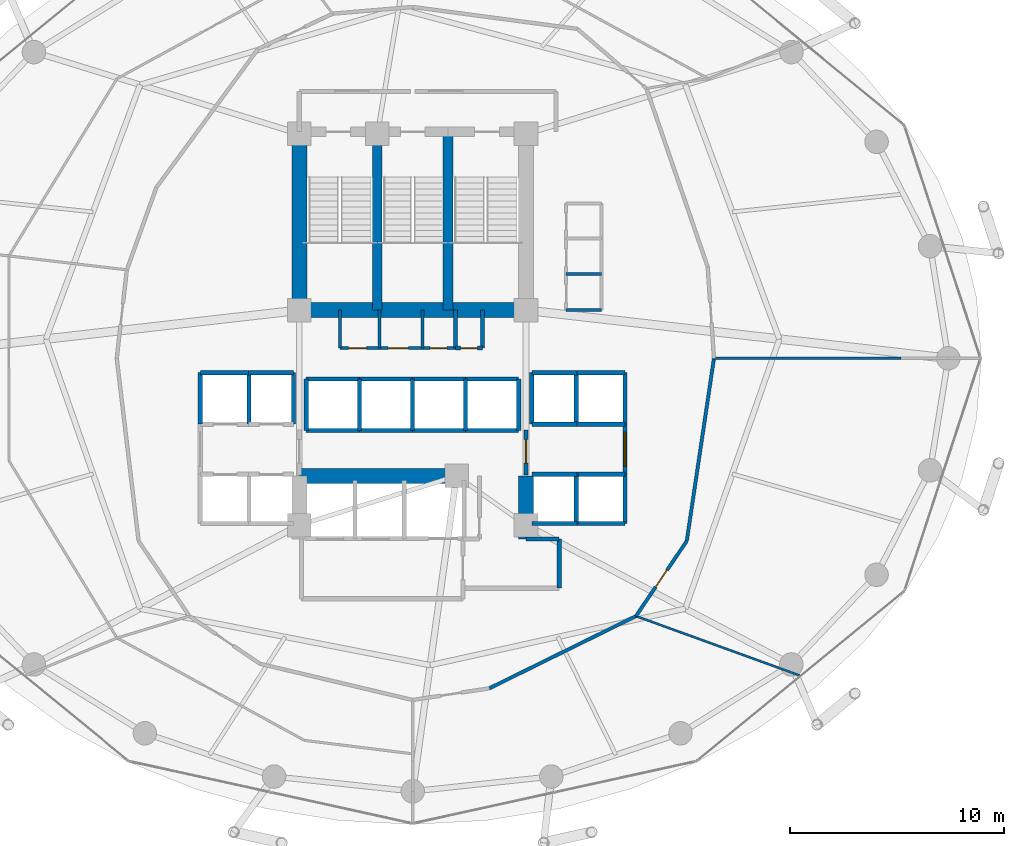
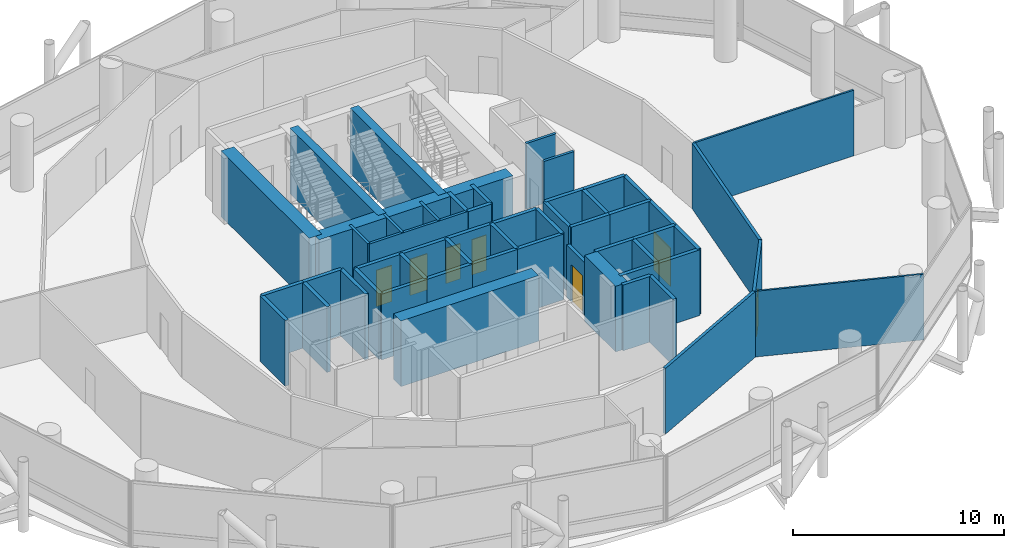
# One storey, part 22 of 25: 55 walls, 7 doors, 7 openings.
"""IFC4 building model written with IfcOpenShell, lengths in metres."""

from ifc_helpers import new_model, si_unit, direction, frame, frame_2d, origin, place, context, subcontext, project, spatial, rectangle, extrude, material, layer, layer_set, type_object, element, fill, save


model = new_model("IFC4")

# Units and contexts
model_context = context("Model", 3, precision=1e-05, world=origin(), true_north=direction((0.0, 1.0)))
body_context = subcontext(model_context, "Body", "Model", "MODEL_VIEW")
ifc_project = project(units=[si_unit("LENGTHUNIT", "METRE"), si_unit("AREAUNIT", "SQUARE_METRE"), si_unit("VOLUMEUNIT", "CUBIC_METRE"), si_unit("PLANEANGLEUNIT", "RADIAN"), si_unit("MASSUNIT", "GRAM", prefix="KILO")], contexts=[model_context])

# Site, building, storey
site_placement = place(None, origin())
site = spatial("IfcSite", under=ifc_project, at=site_placement, CompositionType="ELEMENT")
building_placement = place(site_placement, origin())
building = spatial("IfcBuilding", under=site, at=building_placement, Name="Nuhasar Tower", CompositionType="ELEMENT")
storey_placement = place(building_placement, frame((0.0, 0.0, 65.550048828125)))
storey = spatial("IfcBuildingStorey", under=building, at=storey_placement, Name="L15", CompositionType="ELEMENT", Elevation=65.550048828125)

# Walls
ifc_material_1 = material(Name="Concrete C50/60", Category="concrete")
ifc_layer_1 = layer(ifc_material_1, 0.449951171875)
ifc_layer_set_1 = layer_set([ifc_layer_1], Name="Concrete C50/60")
wall_type_1 = type_object("IfcWallType", Name="WL-CORE-450", PredefinedType="SHEAR", material=ifc_layer_set_1)
for number, where, z_axis, x_axis, name in (
    (1, (37.35009765625, 29.050048828125, 0.0), (0.0, 0.0, 1.0), (0.0, 1.0, 0.0), "L15 Stairwell Shear Wall ST01-E"),
    (2, (40.64990234375, 29.050048828125, 0.0), (0.0, 0.0, 1.0), (0.0, 1.0, 0.0), "L15 Stairwell Shear Wall ST03-E"),
):
    element("IfcWall", number, at=place(storey_placement, frame(where, z_axis=z_axis, x_axis=x_axis)), inside=storey, type_object=wall_type_1, Name=name, PredefinedType="SHEAR", context=body_context, shape_type="SweptSolid", body=[
        extrude(rectangle(XDim=8.349853515625, YDim=0.449951171875, at=frame_2d((4.1748046875, 0.0))), origin(), (0.0, 0.0, 1.0), 3.800048828125),
    ])
ifc_material_2 = material(Name="Concrete C65/80", Category="concrete")
ifc_layer_2 = layer(ifc_material_2, 0.699951171875)
ifc_layer_set_2 = layer_set([ifc_layer_2], Name="Concrete C65/80")
wall_type_2 = type_object("IfcWallType", Name="WL-CORE-700", PredefinedType="SHEAR", material=ifc_layer_set_2)
wall_1_placement = place(storey_placement, frame((33.699951171875, 29.050048828125, 0.0), z_axis=(0.0, 0.0, 1.0), x_axis=(0.0, 1.0, 0.0)))
element("IfcWall", 3, at=wall_1_placement, inside=storey, type_object=wall_type_2, Name="L15 Core Shear Wall CW-NW CW-700", PredefinedType="SHEAR", context=body_context, shape_type="SweptSolid", body=[
    extrude(rectangle(XDim=8.349853515625, YDim=0.699951171875, at=frame_2d((4.1748046875, 0.0))), origin(), (0.0, 0.0, 1.0), 3.800048828125),
])
wall_2_placement = place(storey_placement, frame((44.300048828125, 18.35009765625, 0.0), z_axis=(0.0, 0.0, 1.0), x_axis=(0.0, 1.0, 0.0)))
element("IfcWall", 4, at=wall_2_placement, inside=storey, type_object=wall_type_2, Name="L15 Core Shear Wall CW-SE CW-700", PredefinedType="SHEAR", context=body_context, shape_type="SweptSolid", body=[
    extrude(rectangle(XDim=2.949951171875, YDim=0.699951171875, at=frame_2d((1.47509765625, 0.0))), origin(), (0.0, 0.0, 1.0), 3.800048828125),
])
wall_3_placement = place(storey_placement, frame((33.699951171875, 29.050048828125, 0.0), z_axis=(0.0, 0.0, 1.0), x_axis=(1.0, 0.0, 0.0)))
element("IfcWall", 5, at=wall_3_placement, inside=storey, type_object=wall_type_2, Name="L15 Core Shear Wall CW-N1 CW-700", PredefinedType="SHEAR", context=body_context, shape_type="SweptSolid", body=[
    extrude(rectangle(XDim=10.60009765625, YDim=0.699951171875, at=frame_2d((5.300048828125, 0.0))), origin(), (0.0, 0.0, 1.0), 3.800048828125),
])
wall_4_placement = place(storey_placement, frame((33.699951171875, 21.300048828125, 0.0), z_axis=(0.0, 0.0, 1.0), x_axis=(1.0, 0.0, 0.0)))
element("IfcWall", 6, at=wall_4_placement, inside=storey, type_object=wall_type_2, Name="L15 Core Shear Wall CW-S1 CW-700", PredefinedType="SHEAR", context=body_context, shape_type="SweptSolid", body=[
    extrude(rectangle(XDim=7.550048828125, YDim=0.699951171875, at=frame_2d((3.77490234375, 0.0))), origin(), (0.0, 0.0, 1.0), 3.800048828125),
])
ifc_material_3 = material(Name="Gypsum Board", Category="gypsum")
ifc_layer_3 = layer(ifc_material_3, 0.159912109375)
ifc_layer_set_3 = layer_set([ifc_layer_3], Name="Gypsum Board")
wall_type_3 = type_object("IfcWallType", Name="WL-CORR-160", PredefinedType="PARTITIONING", material=ifc_layer_set_3)
wall_5_placement = place(storey_placement, frame((42.58203125, 11.364990234375, 0.0), z_axis=(0.0, 0.0, 1.0), x_axis=(0.897055406153, 0.441918090025, 0.0)))
element("IfcWall", 7, at=wall_5_placement, inside=storey, type_object=wall_type_3, Name="L15 Interior Partition CORR-38", PredefinedType="PARTITIONING", context=body_context, shape_type="SweptSolid", body=[
    extrude(rectangle(XDim=7.64599609375, YDim=0.159912109375, at=frame_2d((3.822998046875, 0.0))), origin(), (0.0, 0.0, 1.0), 3.800048828125),
])

# Wall, opening, door
wall_6_placement = place(storey_placement, frame((51.818115234375, 18.2548828125, 0.0), z_axis=(0.0, 0.0, 1.0), x_axis=(-0.560652063277, -0.828051486288, 0.0)))
wall_6 = element("IfcWall", 8, at=wall_6_placement, inside=storey, type_object=wall_type_3, Name="L15 Interior Partition CORR-42", PredefinedType="PARTITIONING", context=body_context, shape_type="SweptSolid", body=[
    extrude(rectangle(XDim=4.239990234375, YDim=0.159912109375, at=frame_2d((2.1201171875, 0.0))), origin(), (0.0, 0.0, 1.0), 3.800048828125),
])
opening_1_placement = place(wall_6_placement, frame((1.64501953125, 0.0, 0.0)))
opening_1 = element("IfcOpeningElement", 9, at=opening_1_placement, cuts=wall_6, Name="Opening DO-01", PredefinedType="OPENING", context=body_context, shape_type="SweptSolid", body=[
    extrude(rectangle(XDim=0.949951171875, YDim=2.14990234375, at=frame_2d((0.47509765625, 1.074951171875))), frame((0.0, 0.08984375, 0.0), z_axis=(0.0, -1.0, 0.0), x_axis=(1.0, 0.0, 0.0)), (0.0, 0.0, 1.0), 0.179931640625),
])
ifc_material_4 = material(Name="Timber Oak", Category="wood")
door_type_1 = type_object("IfcDoorType", Name="DR-OFFICE-FD30-950", OperationType="NOTDEFINED", PredefinedType="DOOR", material=ifc_material_4)
door_1_placement = place(opening_1_placement, origin())
door_1 = element("IfcDoor", 10, at=door_1_placement, inside=storey, type_object=door_type_1, Name="L15 Analytics Co-Working Hall Entry Door", OperationType="SINGLE_SWING_RIGHT", OverallHeight=2.14990234375, OverallWidth=0.949951171875, PredefinedType="DOOR", context=body_context, shape_type="SweptSolid", body=[
    extrude(rectangle(XDim=0.949951171875, YDim=2.14990234375, at=frame_2d((0.47509765625, 1.074951171875))), frame((0.0, 0.02490234375, 0.0), z_axis=(0.0, -1.0, 0.0), x_axis=(1.0, 0.0, 0.0)), (0.0, 0.0, 1.0), 0.050048828125),
])
fill(opening_1, door_1)

# Wall
wall_7_placement = place(storey_placement, frame((51.818115234375, 18.2548828125, 0.0), z_axis=(0.0, 0.0, 1.0), x_axis=(0.147230717418, 0.989102176647, 0.0)))
element("IfcWall", 11, at=wall_7_placement, inside=storey, type_object=wall_type_3, Name="L15 Interior Partition CORR-44", PredefinedType="PARTITIONING", context=body_context, shape_type="SweptSolid", body=[
    extrude(rectangle(XDim=8.639404296875, YDim=0.159912109375, at=frame_2d((4.31982421875, 0.0))), origin(), (0.0, 0.0, 1.0), 3.800048828125),
])

# Wall, opening, door
ifc_material_5 = material(Name="Concrete C45/55", Category="concrete")
ifc_layer_4 = layer(ifc_material_5, 0.199951171875)
ifc_layer_set_4 = layer_set([ifc_layer_4], Name="Concrete C45/55")
wall_type_4 = type_object("IfcWallType", Name="WL-LOBBY-200", PredefinedType="SOLIDWALL", material=ifc_layer_set_4)
wall_8_placement = place(storey_placement, frame((48.929931640625, 21.3798828125, 0.0), z_axis=(0.0, 0.0, 1.0), x_axis=(0.0, 1.0, 0.0)))
wall_8 = element("IfcWall", 12, at=wall_8_placement, inside=storey, type_object=wall_type_4, Name="L15 Interior Partition LLBM-E", PredefinedType="SOLIDWALL", context=body_context, shape_type="SweptSolid", body=[
    extrude(rectangle(XDim=2.340087890625, YDim=0.199951171875, at=frame_2d((1.169921875, 0.0))), origin(), (0.0, 0.0, 1.0), 3.800048828125),
])
opening_2_placement = place(wall_8_placement, frame((0.3701171875, 0.0, 0.0)))
opening_2 = element("IfcOpeningElement", 13, at=opening_2_placement, cuts=wall_8, Name="Opening DC-01", PredefinedType="OPENING", context=body_context, shape_type="SweptSolid", body=[
    extrude(rectangle(XDim=1.60009765625, YDim=2.199951171875, at=frame_2d((0.800048828125, 1.10009765625))), frame((0.0, 0.10986328125, 0.0), z_axis=(0.0, -1.0, 0.0), x_axis=(1.0, 0.0, 0.0)), (0.0, 0.0, 1.0), 0.219970703125),
])
ifc_material_6 = material(Name="Steel S355", Category="steel")
door_type_2 = type_object("IfcDoorType", Name="DR-CORR-FD60-1600", OperationType="DOUBLE_DOOR_SINGLE_SWING", PredefinedType="DOOR", material=ifc_material_6)
door_2_placement = place(opening_2_placement, origin())
door_2 = element("IfcDoor", 14, at=door_2_placement, inside=storey, type_object=door_type_2, Name="L15 Mid-Rise Lift Lobby East Entry", OperationType="DOUBLE_DOOR_SINGLE_SWING", OverallHeight=2.199951171875, OverallWidth=1.60009765625, PredefinedType="DOOR", context=body_context, shape_type="SweptSolid", body=[
    extrude(rectangle(XDim=1.60009765625, YDim=2.199951171875, at=frame_2d((0.800048828125, 1.10009765625))), frame((0.0, 0.02490234375, 0.0), z_axis=(0.0, -1.0, 0.0), x_axis=(1.0, 0.0, 0.0)), (0.0, 0.0, 1.0), 0.050048828125),
])
fill(opening_2, door_2)

wall_9_placement = place(storey_placement, frame((44.300048828125, 21.35009765625, 0.0), z_axis=(0.0, 0.0, 1.0), x_axis=(0.0, 1.0, 0.0)))
wall_9 = element("IfcWall", 15, at=wall_9_placement, inside=storey, type_object=wall_type_4, Name="L15 Interior Partition LLBH-E", PredefinedType="SOLIDWALL", context=body_context, shape_type="SweptSolid", body=[
    extrude(rectangle(XDim=2.099853515625, YDim=0.199951171875, at=frame_2d((1.0498046875, 0.0))), origin(), (0.0, 0.0, 1.0), 3.02001953125),
])
opening_3_placement = place(wall_9_placement, frame((0.550048828125, 0.0, 0.0)))
opening_3 = element("IfcOpeningElement", 16, at=opening_3_placement, cuts=wall_9, Name="Opening DS-02", PredefinedType="OPENING", context=body_context, shape_type="SweptSolid", body=[
    extrude(rectangle(XDim=1.10009765625, YDim=2.14990234375, at=frame_2d((0.550048828125, 1.074951171875))), frame((0.0, 0.10986328125, 0.0), z_axis=(0.0, -1.0, 0.0), x_axis=(1.0, 0.0, 0.0)), (0.0, 0.0, 1.0), 0.219970703125),
])
door_type_3 = type_object("IfcDoorType", Name="DR-FFL-FD120-1100", OperationType="NOTDEFINED", PredefinedType="DOOR", material=ifc_material_6)
door_3_placement = place(opening_3_placement, origin())
door_3 = element("IfcDoor", 17, at=door_3_placement, inside=storey, type_object=door_type_3, Name="L15 High-Rise Lobby East Door", OperationType="SINGLE_SWING_RIGHT", OverallHeight=2.14990234375, OverallWidth=1.10009765625, PredefinedType="DOOR", context=body_context, shape_type="SweptSolid", body=[
    extrude(rectangle(XDim=1.10009765625, YDim=2.14990234375, at=frame_2d((0.550048828125, 1.074951171875))), frame((0.0, 0.02490234375, 0.0), z_axis=(0.0, -1.0, 0.0), x_axis=(1.0, 0.0, 0.0)), (0.0, 0.0, 1.0), 0.050048828125),
])
fill(opening_3, door_3)

# Walls
wall_10_placement = place(storey_placement, frame((45.85009765625, 16.050048828125, 0.0), z_axis=(0.0, 0.0, 1.0), x_axis=(0.0, 1.0, 0.0)))
element("IfcWall", 18, at=wall_10_placement, inside=storey, type_object=wall_type_4, Name="L15 Interior Partition SVLV-E", PredefinedType="SOLIDWALL", context=body_context, shape_type="SweptSolid", body=[
    extrude(rectangle(XDim=2.300048828125, YDim=0.199951171875, at=frame_2d((1.14990234375, 0.0))), origin(), (0.0, 0.0, 1.0), 3.800048828125),
])
wall_11_placement = place(storey_placement, frame((44.300048828125, 18.35009765625, 0.0), z_axis=(0.0, 0.0, 1.0), x_axis=(1.0, 0.0, 0.0)))
element("IfcWall", 19, at=wall_11_placement, inside=storey, type_object=wall_type_4, Name="L15 Interior Partition SVLV-N", PredefinedType="SOLIDWALL", context=body_context, shape_type="SweptSolid", body=[
    extrude(rectangle(XDim=1.550048828125, YDim=0.199951171875, at=frame_2d((0.77490234375, 0.0))), origin(), (0.0, 0.0, 1.0), 3.800048828125),
])
ifc_material_7 = material(Name="Aluminium 6063-T6", Category="aluminium")
ifc_layer_5 = layer(ifc_material_7, 0.10009765625)
ifc_layer_set_5 = layer_set([ifc_layer_5], Name="Aluminium 6063-T6")
wall_type_5 = type_object("IfcWallType", Name="WL-MOVABLE-100", PredefinedType="MOVABLE", material=ifc_layer_set_5)
wall_12_placement = place(storey_placement, frame((53.090087890625, 26.800048828125, 0.0), z_axis=(0.0, 0.0, 1.0), x_axis=(1.0, 0.0, 0.0)))
element("IfcWall", 20, at=wall_12_placement, inside=storey, type_object=wall_type_5, Name="L15 Interior Partition ORAD-00", PredefinedType="MOVABLE", context=body_context, shape_type="SweptSolid", body=[
    extrude(rectangle(XDim=8.75, YDim=0.10009765625, at=frame_2d((4.375, 0.0))), origin(), (0.0, 0.0, 1.0), 3.800048828125),
])
wall_13_placement = place(storey_placement, frame((49.44091796875, 14.743896484375, 0.0), z_axis=(0.0, 0.0, 1.0), x_axis=(0.940120376518, -0.340842599533, 0.0)))
element("IfcWall", 21, at=wall_13_placement, inside=storey, type_object=wall_type_5, Name="L15 Interior Partition ORAD-42", PredefinedType="MOVABLE", context=body_context, shape_type="SweptSolid", body=[
    extrude(rectangle(XDim=8.1650390625, YDim=0.10009765625, at=frame_2d((4.08251953125, 0.0))), origin(), (0.0, 0.0, 1.0), 3.800048828125),
])
ifc_layer_6 = layer(ifc_material_5, 0.199951171875)
ifc_layer_set_6 = layer_set([ifc_layer_6], Name="Concrete C45/55")
wall_type_6 = type_object("IfcWallType", Name="WL-SHAFT-200", PredefinedType="SOLIDWALL", material=ifc_layer_set_6)
for number, where, z_axis, x_axis, name in (
    (22, (41.0, 27.280029296875, 0.0), (0.0, 0.0, 1.0), (0.0, 1.0, 0.0), "L15 Interior Partition RSRN-W"),
    (23, (42.260009765625, 27.280029296875, 0.0), (0.0, 0.0, 1.0), (0.0, 1.0, 0.0), "L15 Interior Partition RSRN-E"),
):
    element("IfcWall", number, at=place(storey_placement, frame(where, z_axis=z_axis, x_axis=x_axis)), inside=storey, type_object=wall_type_6, Name=name, PredefinedType="SOLIDWALL", context=body_context, shape_type="SweptSolid", body=[
        extrude(rectangle(XDim=1.77001953125, YDim=0.199951171875, at=frame_2d((0.885009765625, 0.0))), origin(), (0.0, 0.0, 1.0), 3.800048828125),
    ])

# Wall, opening, door
wall_14_placement = place(storey_placement, frame((41.0, 27.280029296875, 0.0), z_axis=(0.0, 0.0, 1.0), x_axis=(1.0, 0.0, 0.0)))
wall_14 = element("IfcWall", 24, at=wall_14_placement, inside=storey, type_object=wall_type_6, Name="L15 Interior Partition RSRN-S", PredefinedType="SOLIDWALL", context=body_context, shape_type="SweptSolid", body=[
    extrude(rectangle(XDim=1.260009765625, YDim=0.199951171875, at=frame_2d((0.6298828125, 0.0))), origin(), (0.0, 0.0, 1.0), 3.800048828125),
])
opening_4_placement = place(wall_14_placement, frame((0.22998046875, 0.0, 0.0)))
opening_4 = element("IfcOpeningElement", 25, at=opening_4_placement, cuts=wall_14, Name="Opening DM-01", PredefinedType="OPENING", context=body_context, shape_type="SweptSolid", body=[
    extrude(rectangle(XDim=0.800048828125, YDim=2.050048828125, at=frame_2d((0.39990234375, 1.02490234375))), frame((0.0, 0.10986328125, 0.0), z_axis=(0.0, -1.0, 0.0), x_axis=(1.0, 0.0, 0.0)), (0.0, 0.0, 1.0), 0.219970703125),
])
door_type_4 = type_object("IfcDoorType", Name="DR-RISER-FD60-800", OperationType="NOTDEFINED", PredefinedType="DOOR", material=ifc_material_6)
door_4_placement = place(opening_4_placement, origin())
door_4 = element("IfcDoor", 26, at=door_4_placement, inside=storey, type_object=door_type_4, Name="L15 North Smoke Riser Door", OperationType="SINGLE_SWING_RIGHT", OverallHeight=2.050048828125, OverallWidth=0.800048828125, PredefinedType="DOOR", context=body_context, shape_type="SweptSolid", body=[
    extrude(rectangle(XDim=0.800048828125, YDim=2.050048828125, at=frame_2d((0.39990234375, 1.02490234375))), frame((0.0, 0.02490234375, 0.0), z_axis=(0.0, -1.0, 0.0), x_axis=(1.0, 0.0, 0.0)), (0.0, 0.0, 1.0), 0.050048828125),
])
fill(opening_4, door_4)

# Walls
wall_15_placement = place(storey_placement, frame((29.070068359375, 26.1298828125, 0.0), z_axis=(0.0, 0.0, 1.0), x_axis=(1.0, 0.0, 0.0)))
element("IfcWall", 27, at=wall_15_placement, inside=storey, type_object=wall_type_6, Name="L15 Interior Partition SHF-PL-L01-N", PredefinedType="SOLIDWALL", context=body_context, shape_type="SweptSolid", body=[
    extrude(rectangle(XDim=2.309814453125, YDim=0.199951171875, at=frame_2d((1.15478515625, 0.0))), origin(), (0.0, 0.0, 1.0), 3.800048828125),
])
for number, where, z_axis, x_axis, name in (
    (28, (29.070068359375, 23.719970703125, 0.0), (0.0, 0.0, 1.0), (0.0, 1.0, 0.0), "L15 Interior Partition SHF-PL-L01-W"),
    (29, (31.35009765625, 23.719970703125, 0.0), (0.0, 0.0, 1.0), (0.0, 1.0, 0.0), "L15 Interior Partition SHF-PL-L01-E"),
):
    element("IfcWall", number, at=place(storey_placement, frame(where, z_axis=z_axis, x_axis=x_axis)), inside=storey, type_object=wall_type_6, Name=name, PredefinedType="SOLIDWALL", context=body_context, shape_type="SweptSolid", body=[
        extrude(rectangle(XDim=2.409912109375, YDim=0.199951171875, at=frame_2d((1.205078125, 0.0))), origin(), (0.0, 0.0, 1.0), 3.800048828125),
    ])
wall_16_placement = place(storey_placement, frame((31.320068359375, 26.1298828125, 0.0), z_axis=(0.0, 0.0, 1.0), x_axis=(1.0, 0.0, 0.0)))
element("IfcWall", 30, at=wall_16_placement, inside=storey, type_object=wall_type_6, Name="L15 Interior Partition SHF-PL-L02-N", PredefinedType="SOLIDWALL", context=body_context, shape_type="SweptSolid", body=[
    extrude(rectangle(XDim=2.10986328125, YDim=0.199951171875, at=frame_2d((1.054931640625, 0.0))), origin(), (0.0, 0.0, 1.0), 3.800048828125),
])
wall_17_placement = place(storey_placement, frame((33.429931640625, 23.719970703125, 0.0), z_axis=(0.0, 0.0, 1.0), x_axis=(0.0, 1.0, 0.0)))
element("IfcWall", 31, at=wall_17_placement, inside=storey, type_object=wall_type_6, Name="L15 Interior Partition SHF-PL-L02-E", PredefinedType="SOLIDWALL", context=body_context, shape_type="SweptSolid", body=[
    extrude(rectangle(XDim=2.409912109375, YDim=0.199951171875, at=frame_2d((1.205078125, 0.0))), origin(), (0.0, 0.0, 1.0), 3.800048828125),
])
for number, where, z_axis, x_axis, name in (
    (32, (44.570068359375, 23.719970703125, 0.0), (0.0, 0.0, 1.0), (1.0, 0.0, 0.0), "L15 Interior Partition SHF-PL-M01-S"),
    (33, (44.570068359375, 26.1298828125, 0.0), (0.0, 0.0, 1.0), (1.0, 0.0, 0.0), "L15 Interior Partition SHF-PL-M01-N"),
):
    element("IfcWall", number, at=place(storey_placement, frame(where, z_axis=z_axis, x_axis=x_axis)), inside=storey, type_object=wall_type_6, Name=name, PredefinedType="SOLIDWALL", context=body_context, shape_type="SweptSolid", body=[
        extrude(rectangle(XDim=2.10986328125, YDim=0.199951171875, at=frame_2d((1.054931640625, 0.0))), origin(), (0.0, 0.0, 1.0), 3.800048828125),
    ])
for number, where, z_axis, x_axis, name in (
    (34, (44.570068359375, 23.719970703125, 0.0), (0.0, 0.0, 1.0), (0.0, 1.0, 0.0), "L15 Interior Partition SHF-PL-M01-W"),
    (35, (46.64990234375, 23.719970703125, 0.0), (0.0, 0.0, 1.0), (0.0, 1.0, 0.0), "L15 Interior Partition SHF-PL-M01-E"),
):
    element("IfcWall", number, at=place(storey_placement, frame(where, z_axis=z_axis, x_axis=x_axis)), inside=storey, type_object=wall_type_6, Name=name, PredefinedType="SOLIDWALL", context=body_context, shape_type="SweptSolid", body=[
        extrude(rectangle(XDim=2.409912109375, YDim=0.199951171875, at=frame_2d((1.205078125, 0.0))), origin(), (0.0, 0.0, 1.0), 3.800048828125),
    ])
for number, where, z_axis, x_axis, name in (
    (36, (46.6201171875, 23.719970703125, 0.0), (0.0, 0.0, 1.0), (1.0, 0.0, 0.0), "L15 Interior Partition SHF-PL-M02-S"),
    (37, (46.6201171875, 26.1298828125, 0.0), (0.0, 0.0, 1.0), (1.0, 0.0, 0.0), "L15 Interior Partition SHF-PL-M02-N"),
):
    element("IfcWall", number, at=place(storey_placement, frame(where, z_axis=z_axis, x_axis=x_axis)), inside=storey, type_object=wall_type_6, Name=name, PredefinedType="SOLIDWALL", context=body_context, shape_type="SweptSolid", body=[
        extrude(rectangle(XDim=2.309814453125, YDim=0.199951171875, at=frame_2d((1.15478515625, 0.0))), origin(), (0.0, 0.0, 1.0), 3.800048828125),
    ])
wall_18_placement = place(storey_placement, frame((48.929931640625, 23.719970703125, 0.0), z_axis=(0.0, 0.0, 1.0), x_axis=(0.0, 1.0, 0.0)))
element("IfcWall", 38, at=wall_18_placement, inside=storey, type_object=wall_type_6, Name="L15 Interior Partition SHF-PL-M02-E", PredefinedType="SOLIDWALL", context=body_context, shape_type="SweptSolid", body=[
    extrude(rectangle(XDim=2.409912109375, YDim=0.199951171875, at=frame_2d((1.205078125, 0.0))), origin(), (0.0, 0.0, 1.0), 3.800048828125),
])
for number, where, z_axis, x_axis, name in (
    (39, (44.570068359375, 19.070068359375, 0.0), (0.0, 0.0, 1.0), (1.0, 0.0, 0.0), "L15 Interior Partition SHF-PL-M03-S"),
    (40, (44.570068359375, 21.3798828125, 0.0), (0.0, 0.0, 1.0), (1.0, 0.0, 0.0), "L15 Interior Partition SHF-PL-M03-N"),
):
    element("IfcWall", number, at=place(storey_placement, frame(where, z_axis=z_axis, x_axis=x_axis)), inside=storey, type_object=wall_type_6, Name=name, PredefinedType="SOLIDWALL", context=body_context, shape_type="SweptSolid", body=[
        extrude(rectangle(XDim=2.10986328125, YDim=0.199951171875, at=frame_2d((1.054931640625, 0.0))), origin(), (0.0, 0.0, 1.0), 3.800048828125),
    ])
for number, where, z_axis, x_axis, name in (
    (41, (46.64990234375, 19.070068359375, 0.0), (0.0, 0.0, 1.0), (0.0, 1.0, 0.0), "L15 Interior Partition SHF-PL-M03-E"),
    (42, (46.6201171875, 19.070068359375, 0.0), (0.0, 0.0, 1.0), (1.0, 0.0, 0.0), "L15 Interior Partition SHF-PL-M04-S"),
    (43, (46.6201171875, 21.3798828125, 0.0), (0.0, 0.0, 1.0), (1.0, 0.0, 0.0), "L15 Interior Partition SHF-PL-M04-N"),
    (44, (48.929931640625, 19.070068359375, 0.0), (0.0, 0.0, 1.0), (0.0, 1.0, 0.0), "L15 Interior Partition SHF-PL-M04-E"),
):
    element("IfcWall", number, at=place(storey_placement, frame(where, z_axis=z_axis, x_axis=x_axis)), inside=storey, type_object=wall_type_6, Name=name, PredefinedType="SOLIDWALL", context=body_context, shape_type="SweptSolid", body=[
        extrude(rectangle(XDim=2.309814453125, YDim=0.199951171875, at=frame_2d((1.15478515625, 0.0))), origin(), (0.0, 0.0, 1.0), 3.800048828125),
    ])
for number, where, z_axis, x_axis, name in (
    (45, (34.02001953125, 23.419921875, 0.0), (0.0, 0.0, 1.0), (1.0, 0.0, 0.0), "L15 Interior Partition SHF-PL-H01-S"),
    (46, (34.02001953125, 25.830078125, 0.0), (0.0, 0.0, 1.0), (1.0, 0.0, 0.0), "L15 Interior Partition SHF-PL-H01-N"),
):
    element("IfcWall", number, at=place(storey_placement, frame(where, z_axis=z_axis, x_axis=x_axis)), inside=storey, type_object=wall_type_6, Name=name, PredefinedType="SOLIDWALL", context=body_context, shape_type="SweptSolid", body=[
        extrude(rectangle(XDim=2.5, YDim=0.199951171875, at=frame_2d((1.25, 0.0))), origin(), (0.0, 0.0, 1.0), 3.800048828125),
    ])
for number, where, z_axis, x_axis, name in (
    (47, (34.02001953125, 23.419921875, 0.0), (0.0, 0.0, 1.0), (0.0, 1.0, 0.0), "L15 Interior Partition SHF-PL-H01-W"),
    (48, (36.510009765625, 23.419921875, 0.0), (0.0, 0.0, 1.0), (0.0, 1.0, 0.0), "L15 Interior Partition SHF-PL-H01-E"),
):
    element("IfcWall", number, at=place(storey_placement, frame(where, z_axis=z_axis, x_axis=x_axis)), inside=storey, type_object=wall_type_6, Name=name, PredefinedType="SOLIDWALL", context=body_context, shape_type="SweptSolid", body=[
        extrude(rectangle(XDim=2.41015625, YDim=0.199951171875, at=frame_2d((1.205078125, 0.0))), origin(), (0.0, 0.0, 1.0), 3.800048828125),
    ])
for number, where, z_axis, x_axis, name in (
    (49, (36.5, 23.419921875, 0.0), (0.0, 0.0, 1.0), (1.0, 0.0, 0.0), "L15 Interior Partition SHF-PL-H02-S"),
    (50, (36.5, 25.830078125, 0.0), (0.0, 0.0, 1.0), (1.0, 0.0, 0.0), "L15 Interior Partition SHF-PL-H02-N"),
):
    element("IfcWall", number, at=place(storey_placement, frame(where, z_axis=z_axis, x_axis=x_axis)), inside=storey, type_object=wall_type_6, Name=name, PredefinedType="SOLIDWALL", context=body_context, shape_type="SweptSolid", body=[
        extrude(rectangle(XDim=2.5, YDim=0.199951171875, at=frame_2d((1.25, 0.0))), origin(), (0.0, 0.0, 1.0), 3.800048828125),
    ])
wall_19_placement = place(storey_placement, frame((38.989990234375, 23.419921875, 0.0), z_axis=(0.0, 0.0, 1.0), x_axis=(0.0, 1.0, 0.0)))
element("IfcWall", 51, at=wall_19_placement, inside=storey, type_object=wall_type_6, Name="L15 Interior Partition SHF-PL-H02-E", PredefinedType="SOLIDWALL", context=body_context, shape_type="SweptSolid", body=[
    extrude(rectangle(XDim=2.41015625, YDim=0.199951171875, at=frame_2d((1.205078125, 0.0))), origin(), (0.0, 0.0, 1.0), 3.800048828125),
])
for number, where, z_axis, x_axis, name in (
    (52, (38.97998046875, 23.419921875, 0.0), (0.0, 0.0, 1.0), (1.0, 0.0, 0.0), "L15 Interior Partition SHF-PL-H03-S"),
    (53, (38.97998046875, 25.830078125, 0.0), (0.0, 0.0, 1.0), (1.0, 0.0, 0.0), "L15 Interior Partition SHF-PL-H03-N"),
):
    element("IfcWall", number, at=place(storey_placement, frame(where, z_axis=z_axis, x_axis=x_axis)), inside=storey, type_object=wall_type_6, Name=name, PredefinedType="SOLIDWALL", context=body_context, shape_type="SweptSolid", body=[
        extrude(rectangle(XDim=2.5, YDim=0.199951171875, at=frame_2d((1.25, 0.0))), origin(), (0.0, 0.0, 1.0), 3.800048828125),
    ])
wall_20_placement = place(storey_placement, frame((41.469970703125, 23.419921875, 0.0), z_axis=(0.0, 0.0, 1.0), x_axis=(0.0, 1.0, 0.0)))
element("IfcWall", 54, at=wall_20_placement, inside=storey, type_object=wall_type_6, Name="L15 Interior Partition SHF-PL-H03-E", PredefinedType="SOLIDWALL", context=body_context, shape_type="SweptSolid", body=[
    extrude(rectangle(XDim=2.41015625, YDim=0.199951171875, at=frame_2d((1.205078125, 0.0))), origin(), (0.0, 0.0, 1.0), 3.800048828125),
])
for number, where, z_axis, x_axis, name in (
    (55, (41.4599609375, 23.419921875, 0.0), (0.0, 0.0, 1.0), (1.0, 0.0, 0.0), "L15 Interior Partition SHF-PL-H04-S"),
    (56, (41.4599609375, 25.830078125, 0.0), (0.0, 0.0, 1.0), (1.0, 0.0, 0.0), "L15 Interior Partition SHF-PL-H04-N"),
):
    element("IfcWall", number, at=place(storey_placement, frame(where, z_axis=z_axis, x_axis=x_axis)), inside=storey, type_object=wall_type_6, Name=name, PredefinedType="SOLIDWALL", context=body_context, shape_type="SweptSolid", body=[
        extrude(rectangle(XDim=2.5, YDim=0.199951171875, at=frame_2d((1.25, 0.0))), origin(), (0.0, 0.0, 1.0), 3.800048828125),
    ])
wall_21_placement = place(storey_placement, frame((43.9599609375, 23.419921875, 0.0), z_axis=(0.0, 0.0, 1.0), x_axis=(0.0, 1.0, 0.0)))
element("IfcWall", 57, at=wall_21_placement, inside=storey, type_object=wall_type_6, Name="L15 Interior Partition SHF-PL-H04-E", PredefinedType="SOLIDWALL", context=body_context, shape_type="SweptSolid", body=[
    extrude(rectangle(XDim=2.41015625, YDim=0.199951171875, at=frame_2d((1.205078125, 0.0))), origin(), (0.0, 0.0, 1.0), 3.800048828125),
])
ifc_material_8 = material(Name="Concrete C40/50 precast", Category="concrete")
ifc_layer_7 = layer(ifc_material_8, 0.139892578125)
ifc_layer_set_7 = layer_set([ifc_layer_7], Name="Concrete C40/50 precast")
wall_type_7 = type_object("IfcWallType", Name="WL-WET-140", PredefinedType="PARTITIONING", material=ifc_layer_set_7)
wall_22_placement = place(storey_placement, frame((35.60009765625, 27.280029296875, 0.0), z_axis=(0.0, 0.0, 1.0), x_axis=(0.0, 1.0, 0.0)))
element("IfcWall", 58, at=wall_22_placement, inside=storey, type_object=wall_type_7, Name="L15 Interior Partition CSVC-W", PredefinedType="PARTITIONING", context=body_context, shape_type="SweptSolid", body=[
    extrude(rectangle(XDim=1.77001953125, YDim=0.139892578125, at=frame_2d((0.885009765625, 0.0))), origin(), (0.0, 0.0, 1.0), 3.800048828125),
])

# Wall, openings, doors
wall_23_placement = place(storey_placement, frame((35.60009765625, 27.280029296875, 0.0), z_axis=(0.0, 0.0, 1.0), x_axis=(1.0, 0.0, 0.0)))
wall_23 = element("IfcWall", 59, at=wall_23_placement, inside=storey, type_object=wall_type_7, Name="L15 Interior Partition CSVC-S", PredefinedType="PARTITIONING", context=body_context, shape_type="SweptSolid", body=[
    extrude(rectangle(XDim=5.39990234375, YDim=0.139892578125, at=frame_2d((2.699951171875, 0.0))), origin(), (0.0, 0.0, 1.0), 3.800048828125),
])
opening_5_placement = place(wall_23_placement, frame((0.39990234375, 0.0, 0.0)))
opening_5 = element("IfcOpeningElement", 60, at=opening_5_placement, cuts=wall_23, Name="Opening DB-01", PredefinedType="OPENING", context=body_context, shape_type="SweptSolid", body=[
    extrude(rectangle(XDim=0.85009765625, YDim=2.10009765625, at=frame_2d((0.425048828125, 1.050048828125))), frame((0.0, 0.080078125, 0.0), z_axis=(0.0, -1.0, 0.0), x_axis=(1.0, 0.0, 0.0)), (0.0, 0.0, 1.0), 0.159912109375),
])
opening_6_placement = place(wall_23_placement, frame((2.25, 0.0, 0.0)))
opening_6 = element("IfcOpeningElement", 61, at=opening_6_placement, cuts=wall_23, Name="Opening DA-01", PredefinedType="OPENING", context=body_context, shape_type="SweptSolid", body=[
    extrude(rectangle(XDim=0.949951171875, YDim=2.10009765625, at=frame_2d((0.47509765625, 1.050048828125))), frame((0.0, 0.080078125, 0.0), z_axis=(0.0, -1.0, 0.0), x_axis=(1.0, 0.0, 0.0)), (0.0, 0.0, 1.0), 0.159912109375),
])
opening_7_placement = place(wall_23_placement, frame((4.199951171875, 0.0, 0.0)))
opening_7 = element("IfcOpeningElement", 62, at=opening_7_placement, cuts=wall_23, Name="Opening DM-01", PredefinedType="OPENING", context=body_context, shape_type="SweptSolid", body=[
    extrude(rectangle(XDim=0.800048828125, YDim=2.050048828125, at=frame_2d((0.39990234375, 1.02490234375))), frame((0.0, 0.080078125, 0.0), z_axis=(0.0, -1.0, 0.0), x_axis=(1.0, 0.0, 0.0)), (0.0, 0.0, 1.0), 0.159912109375),
])
door_type_5 = type_object("IfcDoorType", Name="DR-ACCWC-950", OperationType="NOTDEFINED", PredefinedType="DOOR", material=ifc_material_4)
door_5_placement = place(opening_6_placement, origin())
door_5 = element("IfcDoor", 63, at=door_5_placement, inside=storey, type_object=door_type_5, Name="L15 Core Accessible WC Door", OperationType="SINGLE_SWING_RIGHT", OverallHeight=2.10009765625, OverallWidth=0.949951171875, PredefinedType="DOOR", context=body_context, shape_type="SweptSolid", body=[
    extrude(rectangle(XDim=0.949951171875, YDim=2.10009765625, at=frame_2d((0.47509765625, 1.050048828125))), frame((0.0, 0.02490234375, 0.0), z_axis=(0.0, -1.0, 0.0), x_axis=(1.0, 0.0, 0.0)), (0.0, 0.0, 1.0), 0.050048828125),
])
fill(opening_6, door_5)
door_type_6 = type_object("IfcDoorType", Name="DR-BATH-850", OperationType="NOTDEFINED", PredefinedType="DOOR", material=ifc_material_4)
door_6_placement = place(opening_5_placement, origin())
door_6 = element("IfcDoor", 64, at=door_6_placement, inside=storey, type_object=door_type_6, Name="L15 Core Male WC Door", OperationType="SINGLE_SWING_LEFT", OverallHeight=2.10009765625, OverallWidth=0.85009765625, PredefinedType="DOOR", context=body_context, shape_type="SweptSolid", body=[
    extrude(rectangle(XDim=0.85009765625, YDim=2.10009765625, at=frame_2d((0.425048828125, 1.050048828125))), frame((0.0, 0.02490234375, 0.0), z_axis=(0.0, -1.0, 0.0), x_axis=(1.0, 0.0, 0.0)), (0.0, 0.0, 1.0), 0.050048828125),
])
fill(opening_5, door_6)
door_7_placement = place(opening_7_placement, origin())
door_7 = element("IfcDoor", 65, at=door_7_placement, inside=storey, type_object=door_type_4, Name="L15 Core Janitor Door", OperationType="SINGLE_SWING_RIGHT", OverallHeight=2.050048828125, OverallWidth=0.800048828125, PredefinedType="DOOR", context=body_context, shape_type="SweptSolid", body=[
    extrude(rectangle(XDim=0.800048828125, YDim=2.050048828125, at=frame_2d((0.39990234375, 1.02490234375))), frame((0.0, 0.02490234375, 0.0), z_axis=(0.0, -1.0, 0.0), x_axis=(1.0, 0.0, 0.0)), (0.0, 0.0, 1.0), 0.050048828125),
])
fill(opening_7, door_7)

# Walls
for number, where, z_axis, x_axis, name in (
    (66, (37.449951171875, 27.280029296875, 0.0), (0.0, 0.0, 1.0), (0.0, 1.0, 0.0), "L15 Interior Partition K1-P1"),
    (67, (39.449951171875, 27.280029296875, 0.0), (0.0, 0.0, 1.0), (0.0, 1.0, 0.0), "L15 Interior Partition K1-P2"),
):
    element("IfcWall", number, at=place(storey_placement, frame(where, z_axis=z_axis, x_axis=x_axis)), inside=storey, type_object=wall_type_7, Name=name, PredefinedType="PARTITIONING", context=body_context, shape_type="SweptSolid", body=[
        extrude(rectangle(XDim=1.77001953125, YDim=0.139892578125, at=frame_2d((0.885009765625, 0.0))), origin(), (0.0, 0.0, 1.0), 3.800048828125),
    ])
for number, where, z_axis, x_axis, name in (
    (68, (46.179931640625, 29.050048828125, 0.0), (0.0, 0.0, 1.0), (1.0, 0.0, 0.0), "L15 Interior Partition K1-NE-S"),
    (69, (46.179931640625, 30.75, 0.0), (0.0, 0.0, 1.0), (1.0, 0.0, 0.0), "L15 Interior Partition K1-NE-M1"),
):
    element("IfcWall", number, at=place(storey_placement, frame(where, z_axis=z_axis, x_axis=x_axis)), inside=storey, type_object=wall_type_7, Name=name, PredefinedType="PARTITIONING", context=body_context, shape_type="SweptSolid", body=[
        extrude(rectangle(XDim=1.64013671875, YDim=0.139892578125, at=frame_2d((0.820068359375, 0.0))), origin(), (0.0, 0.0, 1.0), 3.800048828125),
    ])

save(model, "model.ifc")
